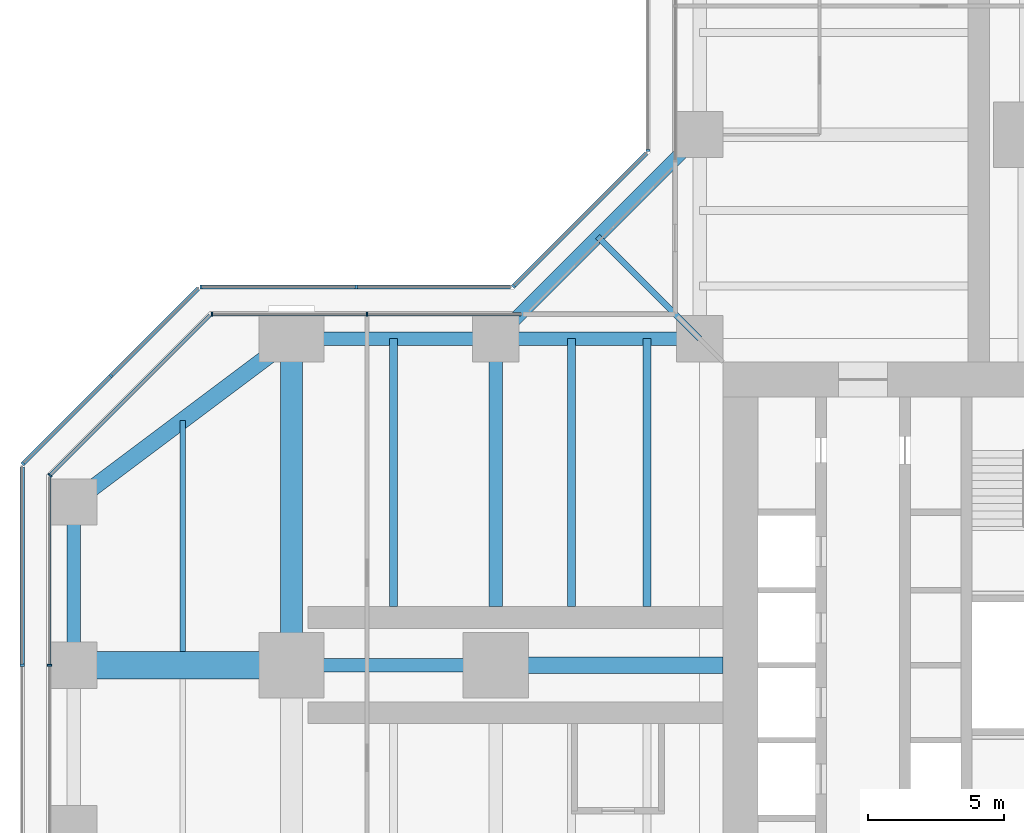
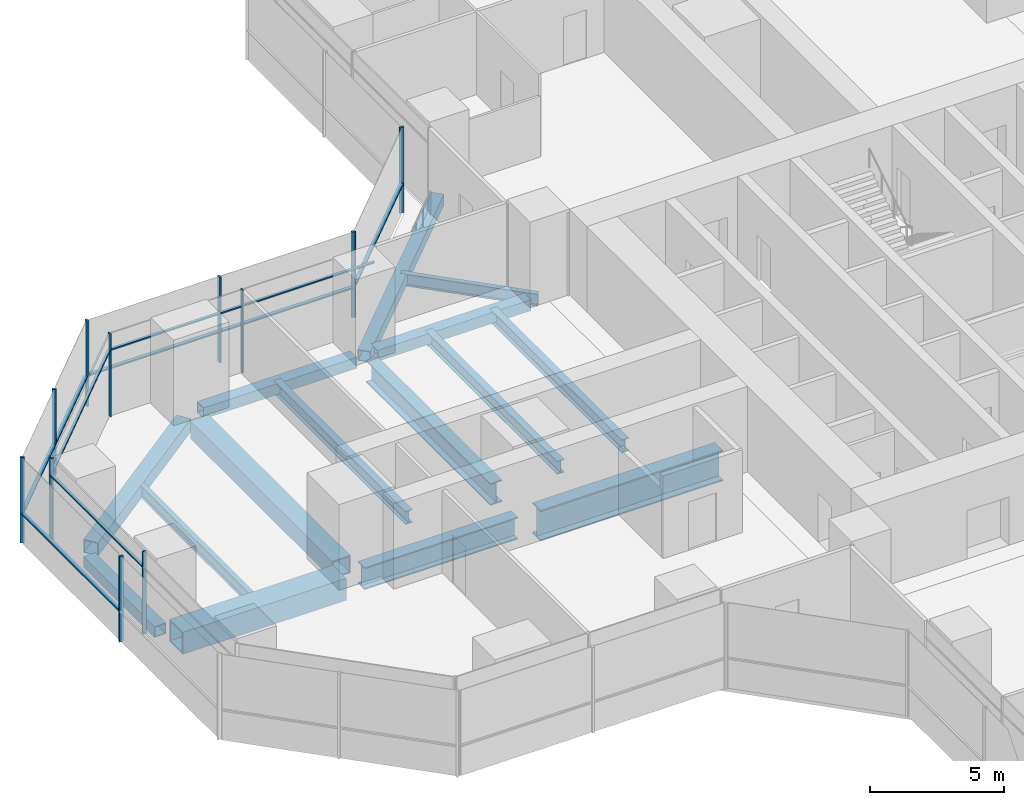
# One storey, part 8 of 22: 21 members, 15 beams, 8 elements without a shape of their own.
"""IFC4 building model written with IfcOpenShell, lengths in metres."""

from ifc_helpers import new_model, si_unit, direction, frame, origin, origin_2d, place, context, subcontext, project, spatial, rectangle, hollow_rectangle, i_section, extrude, material, material_profile, profile_set, type_object, element, aggregate, save


model = new_model("IFC4")

# Units and contexts
model_context = context("Model", 3, precision=1e-05, world=origin(), true_north=direction((0.0, 1.0)))
body_context = subcontext(model_context, "Body", "Model", "MODEL_VIEW")
ifc_project = project(units=[si_unit("LENGTHUNIT", "METRE"), si_unit("AREAUNIT", "SQUARE_METRE"), si_unit("VOLUMEUNIT", "CUBIC_METRE"), si_unit("PLANEANGLEUNIT", "RADIAN"), si_unit("MASSUNIT", "GRAM", prefix="KILO")], contexts=[model_context])

# Site, building, storey
site_placement = place(None, origin())
site = spatial("IfcSite", under=ifc_project, at=site_placement, CompositionType="ELEMENT")
building_placement = place(site_placement, origin())
building = spatial("IfcBuilding", under=site, at=building_placement, Name="Mizan Broadcast Tower", CompositionType="ELEMENT")
storey_placement = place(building_placement, frame((0.0, 0.0, 109.800048828125)))
storey = spatial("IfcBuildingStorey", under=building, at=storey_placement, Name="L24", CompositionType="ELEMENT", Elevation=109.800048828125)

# Beams
ifc_material_1 = material(Name="Steel S355", Category="steel")
ifc_material_profile_1 = material_profile(ifc_material_1, hollow_rectangle(XDim=0.5, YDim=0.5, WallThickness=0.030029296875, at=origin_2d()), Name="BOX 500x500x30")
ifc_profile_set_1 = profile_set([ifc_material_profile_1], Name="Steel S355")
beam_type_1 = type_object("IfcBeamType", Name="EDGE BEAM BOX 500x500x30", PredefinedType="SPANDREL", material=ifc_profile_set_1)
for number, where, z_axis, x_axis, name in (
    (1, (-12.449951171875, 12.0, -0.380126953125), (-1.0, 0.0, 0.0), (0.0, -1.0, 0.0), "Edge beam BOX 500x500x30 L24 west arm"),
    (2, (-19.949951171875, 12.0, -0.380126953125), (-1.0, 0.0, 0.0), (0.0, -1.0, 0.0), "Edge beam BOX 500x500x30 L24 west arm"),
):
    element("IfcBeam", number, at=place(storey_placement, frame(where, z_axis=z_axis, x_axis=x_axis)), inside=storey, type_object=beam_type_1, Name=name, PredefinedType="SPANDREL", context=body_context, shape_type="SweptSolid", body=[
        extrude(hollow_rectangle(XDim=0.5, YDim=0.5, WallThickness=0.030029296875, at=origin_2d()), origin(), (0.0, 0.0, 1.0), 6.60009765625),
    ])
beam_1_placement = place(storey_placement, frame((-35.0, 5.639892578125, -0.380126953125), z_axis=(0.0, -1.0, 0.0), x_axis=(1.0, 0.0, 0.0)))
element("IfcBeam", 3, at=beam_1_placement, inside=storey, type_object=beam_type_1, Name="Edge beam BOX 500x500x30 L24 west arm", PredefinedType="SPANDREL", context=body_context, shape_type="SweptSolid", body=[
    extrude(hollow_rectangle(XDim=0.5, YDim=0.5, WallThickness=0.030029296875, at=origin_2d()), origin(), (0.0, 0.0, 1.0), 5.27978515625),
])
beam_2_placement = place(storey_placement, frame((-12.0, 19.5, -0.380126953125), z_axis=(-0.707106781187, -0.707106781187, 0.0), x_axis=(0.707106781187, -0.707106781187, 0.0)))
element("IfcBeam", 4, at=beam_2_placement, inside=storey, type_object=beam_type_1, Name="Winter garden edge beam L24 N", PredefinedType="SPANDREL", context=body_context, shape_type="SweptSolid", body=[
    extrude(hollow_rectangle(XDim=0.5, YDim=0.5, WallThickness=0.030029296875, at=origin_2d()), origin(), (0.0, 0.0, 1.0), 10.606689453125),
])
ifc_material_2 = material(Name="Steel S355", Category="steel")
ifc_material_profile_2 = material_profile(ifc_material_2, hollow_rectangle(XDim=0.60009765625, YDim=0.60009765625, WallThickness=0.030029296875, at=origin_2d()), Name="BOX 600x600x30")
ifc_profile_set_2 = profile_set([ifc_material_profile_2], Name="Steel S355")
beam_type_2 = type_object("IfcBeamType", Name="EDGE BEAM BOX 600x600x30", PredefinedType="SPANDREL", material=ifc_profile_set_2)
beam_3_placement = place(storey_placement, frame((-27.47998046875, 11.639892578125, -0.429931640625), z_axis=(-0.800013316712, -0.599982243973, 0.0), x_axis=(0.599982243973, -0.800013316712, 0.0)))
element("IfcBeam", 5, at=beam_3_placement, inside=storey, type_object=beam_type_2, Name="Edge beam BOX 600x600x30 L24 west arm", PredefinedType="SPANDREL", context=body_context, shape_type="SweptSolid", body=[
    extrude(hollow_rectangle(XDim=0.60009765625, YDim=0.60009765625, WallThickness=0.030029296875, at=origin_2d()), origin(), (0.0, 0.0, 1.0), 8.7998046875),
])
ifc_material_3 = material(Name="Steel S460", Category="steel")
ifc_material_profile_3 = material_profile(ifc_material_3, hollow_rectangle(XDim=1.0, YDim=1.0, WallThickness=0.06005859375, at=origin_2d()), Name="BOX 1000x1000x60")
ifc_profile_set_3 = profile_set([ifc_material_profile_3], Name="Steel S460")
beam_type_3 = type_object("IfcBeamType", Name="GIRDER BOX 1000x1000x60", PredefinedType="BEAM", material=ifc_profile_set_3)
beam_4_placement = place(storey_placement, frame((-27.47998046875, 0.0, -0.630126953125), z_axis=(-1.0, 0.0, 0.0), x_axis=(0.0, -1.0, 0.0)))
element("IfcBeam", 6, at=beam_4_placement, inside=storey, type_object=beam_type_3, Name="Girder BOX 1000x1000x60 L24 west arm", PredefinedType="BEAM", context=body_context, shape_type="SweptSolid", body=[
    extrude(hollow_rectangle(XDim=1.0, YDim=1.0, WallThickness=0.06005859375, at=origin_2d()), origin(), (0.0, 0.0, 1.0), 7.0400390625),
])
ifc_material_4 = material(Name="Steel S460", Category="steel")
ifc_material_profile_4 = material_profile(ifc_material_4, hollow_rectangle(XDim=0.800048828125, YDim=0.800048828125, WallThickness=0.050048828125, at=origin_2d()), Name="BOX 800x800x50")
ifc_profile_set_4 = profile_set([ifc_material_profile_4], Name="Steel S460")
beam_type_4 = type_object("IfcBeamType", Name="GIRDER BOX 800x800x50", PredefinedType="BEAM", material=ifc_profile_set_4)
beam_5_placement = place(storey_placement, frame((-27.0, 11.280029296875, -0.530029296875), z_axis=(0.0, -1.0, 0.0), x_axis=(1.0, 0.0, 0.0)))
element("IfcBeam", 7, at=beam_5_placement, inside=storey, type_object=beam_type_4, Name="Girder BOX 800x800x50 L24 west arm", PredefinedType="BEAM", context=body_context, shape_type="SweptSolid", body=[
    extrude(hollow_rectangle(XDim=0.800048828125, YDim=0.800048828125, WallThickness=0.050048828125, at=origin_2d()), origin(), (0.0, 0.0, 1.0), 10.56005859375),
])
ifc_material_5 = material(Name="Steel S460", Category="steel")
ifc_material_profile_5 = material_profile(ifc_material_5, i_section(OverallWidth=0.5, OverallDepth=1.0, WebThickness=0.02490234375, FlangeThickness=0.050048828125, at=origin_2d()), Name="WPG 1000x500")
ifc_profile_set_5 = profile_set([ifc_material_profile_5], Name="Steel S460")
beam_type_5 = type_object("IfcBeamType", Name="GIRDER WPG 1000x500", PredefinedType="BEAM", material=ifc_profile_set_5)
beam_6_placement = place(storey_placement, frame((-19.949951171875, 0.0, -0.630126953125), z_axis=(-1.0, 0.0, 0.0), x_axis=(0.0, -1.0, 0.0)))
element("IfcBeam", 8, at=beam_6_placement, inside=storey, type_object=beam_type_5, Name="Girder WPG 1000x500 L24 west arm", PredefinedType="BEAM", context=body_context, shape_type="SweptSolid", body=[
    extrude(i_section(OverallWidth=0.5, OverallDepth=1.0, WebThickness=0.02490234375, FlangeThickness=0.050048828125, at=origin_2d()), origin(), (0.0, 0.0, 1.0), 6.60009765625),
])
beam_7_placement = place(storey_placement, frame((-19.5, 11.408935546875, -0.630126953125), z_axis=(0.0, -1.0, 0.0), x_axis=(1.0, 0.0, 0.0)))
element("IfcBeam", 9, at=beam_7_placement, inside=storey, type_object=beam_type_5, Name="Girder WPG 1000x500 L24 west arm", PredefinedType="BEAM", context=body_context, shape_type="SweptSolid", body=[
    extrude(i_section(OverallWidth=0.5, OverallDepth=1.0, WebThickness=0.02490234375, FlangeThickness=0.050048828125, at=origin_2d()), origin(), (0.0, 0.0, 1.0), 9.259033203125),
])
ifc_material_6 = material(Name="Steel S460", Category="steel")
ifc_material_profile_6 = material_profile(ifc_material_6, i_section(OverallWidth=0.60009765625, OverallDepth=1.39990234375, WebThickness=0.02490234375, FlangeThickness=0.06005859375, at=origin_2d()), Name="WPG 1400x600")
ifc_profile_set_6 = profile_set([ifc_material_profile_6], Name="Steel S460")
beam_type_6 = type_object("IfcBeamType", Name="GIRDER WPG 1400x600", PredefinedType="BEAM", material=ifc_profile_set_6)
beam_8_placement = place(storey_placement, frame((-11.14990234375, 0.0, -0.830078125), z_axis=(-1.0, 0.0, 0.0), x_axis=(0.0, -1.0, 0.0)))
element("IfcBeam", 10, at=beam_8_placement, inside=storey, type_object=beam_type_6, Name="Girder WPG 1400x600 L24 west arm", PredefinedType="BEAM", context=body_context, shape_type="SweptSolid", body=[
    extrude(i_section(OverallWidth=0.60009765625, OverallDepth=1.39990234375, WebThickness=0.02490234375, FlangeThickness=0.06005859375, at=origin_2d()), origin(), (0.0, 0.0, 1.0), 7.84912109375),
])

# Curtain wall, members
ifc_material_7 = material(Name="Aluminium framed glazing", Category="aluminium")
curtain_wall_type_1 = type_object("IfcCurtainWallType", Name="INNER SKIN LOW ZONE", PredefinedType="USERDEFINED", material=ifc_material_7)
curtain_wall_1_placement = place(storey_placement, origin())
curtain_wall_1 = element("IfcCurtainWall", 11, at=curtain_wall_1_placement, inside=storey, type_object=curtain_wall_type_1, Name="Inner skin low zone L24 W side", ObjectType="INNER SKIN LOW ZONE", PredefinedType="USERDEFINED")
ifc_material_8 = material(Name="Aluminium, pale anodised", Category="aluminium")
ifc_material_profile_7 = material_profile(ifc_material_8, rectangle(XDim=0.159912109375, YDim=0.06005859375, at=origin_2d()), Name="MULLION 160x60")
ifc_profile_set_7 = profile_set([ifc_material_profile_7], Name="Aluminium, pale anodised")
member_type_1 = type_object("IfcMemberType", Name="INNER SKIN MULLION 60x160", PredefinedType="MULLION", material=ifc_profile_set_7)
member_1_placement = place(storey_placement, frame((-24.229248046875, 12.89990234375, 0.0), z_axis=(0.0, 0.0, 1.0), x_axis=(0.0, -1.0, 0.0)))
member_1 = element("IfcMember", 12, at=member_1_placement, type_object=member_type_1, Name="Inner skin low zone L24 W side mullion 2", PredefinedType="MULLION", context=body_context, shape_type="SweptSolid", body=[
    extrude(rectangle(XDim=0.159912109375, YDim=0.06005859375, at=origin_2d()), origin(), (0.0, 0.0, 1.0), 3.77001953125),
])
member_2_placement = place(storey_placement, frame((-29.928466796875, 12.89990234375, 0.0), z_axis=(0.0, 0.0, 1.0), x_axis=(0.0, -1.0, 0.0)))
member_2 = element("IfcMember", 13, at=member_2_placement, type_object=member_type_1, Name="Inner skin low zone L24 W side mullion 3", PredefinedType="MULLION", context=body_context, shape_type="SweptSolid", body=[
    extrude(rectangle(XDim=0.159912109375, YDim=0.06005859375, at=origin_2d()), origin(), (0.0, 0.0, 1.0), 3.77001953125),
])

# Curtain wall, member
curtain_wall_2_placement = place(storey_placement, origin())
curtain_wall_2 = element("IfcCurtainWall", 14, at=curtain_wall_2_placement, inside=storey, type_object=curtain_wall_type_1, Name="Inner skin low zone L24 W chamfer", ObjectType="INNER SKIN LOW ZONE", PredefinedType="USERDEFINED")
member_3_placement = place(storey_placement, frame((-35.87890625, 6.979736328125, 0.0), z_axis=(0.0, 0.0, 1.0), x_axis=(0.707106781187, -0.707106781187, 0.0)))
member_3 = element("IfcMember", 15, at=member_3_placement, type_object=member_type_1, Name="Inner skin low zone L24 W chamfer mullion 2", PredefinedType="MULLION", context=body_context, shape_type="SweptSolid", body=[
    extrude(rectangle(XDim=0.159912109375, YDim=0.06005859375, at=origin_2d()), origin(), (0.0, 0.0, 1.0), 3.77001953125),
])

curtain_wall_3_placement = place(storey_placement, origin())
curtain_wall_3 = element("IfcCurtainWall", 16, at=curtain_wall_3_placement, inside=storey, type_object=curtain_wall_type_1, Name="Inner skin low zone L24 W end", ObjectType="INNER SKIN LOW ZONE", PredefinedType="USERDEFINED")
member_4_placement = place(storey_placement, frame((-35.89990234375, 0.0, 0.0), z_axis=(0.0, 0.0, 1.0), x_axis=(1.0, 0.0, 0.0)))
member_4 = element("IfcMember", 17, at=member_4_placement, type_object=member_type_1, Name="Inner skin low zone L24 W end mullion 2", PredefinedType="MULLION", context=body_context, shape_type="SweptSolid", body=[
    extrude(rectangle(XDim=0.159912109375, YDim=0.06005859375, at=origin_2d()), origin(), (0.0, 0.0, 1.0), 3.77001953125),
])

# Member
ifc_material_9 = material(Name="Aluminium, pale anodised", Category="aluminium")
ifc_material_profile_8 = material_profile(ifc_material_9, rectangle(XDim=0.1201171875, YDim=0.06005859375, at=origin_2d()), Name="TRANSOM 120x60")
ifc_profile_set_8 = profile_set([ifc_material_profile_8], Name="Aluminium, pale anodised")
member_type_2 = type_object("IfcMemberType", Name="INNER SKIN TRANSOM 60x120", PredefinedType="USERDEFINED", material=ifc_profile_set_8)
member_5_placement = place(storey_placement, frame((-18.56005859375, 12.89990234375, 3.030029296875), z_axis=(-1.0, 0.0, 0.0), x_axis=(0.0, -1.0, 0.0)))
member_5 = element("IfcMember", 18, at=member_5_placement, type_object=member_type_2, Name="Inner skin low zone L24 W side transom 1.1", ObjectType="TRANSOM", PredefinedType="USERDEFINED", context=body_context, shape_type="SweptSolid", body=[
    extrude(rectangle(XDim=0.1201171875, YDim=0.06005859375, at=origin_2d()), origin(), (0.0, 0.0, 1.0), 5.63916015625),
])

member_6_placement = place(storey_placement, frame((-24.25927734375, 12.89990234375, 3.030029296875), z_axis=(-1.0, 0.0, 0.0), x_axis=(0.0, -1.0, 0.0)))
member_6 = element("IfcMember", 19, at=member_6_placement, type_object=member_type_2, Name="Inner skin low zone L24 W side transom 2.1", ObjectType="TRANSOM", PredefinedType="USERDEFINED", context=body_context, shape_type="SweptSolid", body=[
    extrude(rectangle(XDim=0.1201171875, YDim=0.06005859375, at=origin_2d()), origin(), (0.0, 0.0, 1.0), 5.639404296875),
])

aggregate(curtain_wall_1, [member_1, member_2, member_5, member_6])

member_7_placement = place(storey_placement, frame((-30.0009765625, 12.857666015625, 3.030029296875), z_axis=(-0.707106781187, -0.707106781187, 0.0), x_axis=(0.707106781187, -0.707106781187, 0.0)))
member_7 = element("IfcMember", 20, at=member_7_placement, type_object=member_type_2, Name="Inner skin low zone L24 W chamfer transom 1.1", ObjectType="TRANSOM", PredefinedType="USERDEFINED", context=body_context, shape_type="SweptSolid", body=[
    extrude(rectangle(XDim=0.1201171875, YDim=0.06005859375, at=origin_2d()), origin(), (0.0, 0.0, 1.0), 8.28271484375),
])

aggregate(curtain_wall_2, [member_3, member_7])

member_8_placement = place(storey_placement, frame((-35.89990234375, 6.898681640625, 3.030029296875), z_axis=(0.0, -1.0, 0.0), x_axis=(1.0, 0.0, 0.0)))
member_8 = element("IfcMember", 21, at=member_8_placement, type_object=member_type_2, Name="Inner skin low zone L24 W end transom 1.1", ObjectType="TRANSOM", PredefinedType="USERDEFINED", context=body_context, shape_type="SweptSolid", body=[
    extrude(rectangle(XDim=0.1201171875, YDim=0.06005859375, at=origin_2d()), origin(), (0.0, 0.0, 1.0), 6.86865234375),
])

aggregate(curtain_wall_3, [member_4, member_8])

# Curtain wall, member
ifc_material_10 = material(Name="Aluminium framed glazing", Category="aluminium")
curtain_wall_type_2 = type_object("IfcCurtainWallType", Name="OUTER SKIN", PredefinedType="USERDEFINED", material=ifc_material_10)
curtain_wall_4_placement = place(storey_placement, origin())
curtain_wall_4 = element("IfcCurtainWall", 22, at=curtain_wall_4_placement, inside=storey, type_object=curtain_wall_type_2, Name="Outer skin L24 N side", ObjectType="OUTER SKIN", PredefinedType="USERDEFINED")
ifc_material_11 = material(Name="Aluminium, pale anodised", Category="aluminium")
ifc_material_profile_9 = material_profile(ifc_material_11, rectangle(XDim=0.159912109375, YDim=0.080078125, at=origin_2d()), Name="MULLION 160x80")
ifc_profile_set_9 = profile_set([ifc_material_profile_9], Name="Aluminium, pale anodised")
member_type_3 = type_object("IfcMemberType", Name="OUTER SKIN MULLION 80x160", PredefinedType="MULLION", material=ifc_profile_set_9)
member_9_placement = place(storey_placement, frame((-13.89990234375, 18.912841796875, 0.0), z_axis=(0.0, 0.0, 1.0), x_axis=(1.0, 0.0, 0.0)))
member_9 = element("IfcMember", 23, at=member_9_placement, type_object=member_type_3, Name="Outer skin L24 N side mullion 3", PredefinedType="MULLION", context=body_context, shape_type="SweptSolid", body=[
    extrude(rectangle(XDim=0.159912109375, YDim=0.080078125, at=origin_2d()), origin(), (0.0, 0.0, 1.0), 3.89990234375),
])
aggregate(curtain_wall_4, [member_9])

curtain_wall_5_placement = place(storey_placement, origin())
curtain_wall_5 = element("IfcCurtainWall", 24, at=curtain_wall_5_placement, inside=storey, type_object=curtain_wall_type_2, Name="Outer skin L24 W chamfer", ObjectType="OUTER SKIN", PredefinedType="USERDEFINED")
member_10_placement = place(storey_placement, frame((-18.844482421875, 13.92822265625, 0.0), z_axis=(0.0, 0.0, 1.0), x_axis=(0.707106781187, -0.707106781187, 0.0)))
member_10 = element("IfcMember", 25, at=member_10_placement, type_object=member_type_3, Name="Outer skin L24 W chamfer mullion 2", PredefinedType="MULLION", context=body_context, shape_type="SweptSolid", body=[
    extrude(rectangle(XDim=0.159912109375, YDim=0.080078125, at=origin_2d()), origin(), (0.0, 0.0, 1.0), 3.89990234375),
])

# Curtain wall, members
curtain_wall_6_placement = place(storey_placement, origin())
curtain_wall_6 = element("IfcCurtainWall", 26, at=curtain_wall_6_placement, inside=storey, type_object=curtain_wall_type_2, Name="Outer skin L24 W side", ObjectType="OUTER SKIN", PredefinedType="USERDEFINED")
member_11_placement = place(storey_placement, frame((-24.622802734375, 13.89990234375, 0.0), z_axis=(0.0, 0.0, 1.0), x_axis=(0.0, -1.0, 0.0)))
member_11 = element("IfcMember", 27, at=member_11_placement, type_object=member_type_3, Name="Outer skin L24 W side mullion 2", PredefinedType="MULLION", context=body_context, shape_type="SweptSolid", body=[
    extrude(rectangle(XDim=0.159912109375, YDim=0.080078125, at=origin_2d()), origin(), (0.0, 0.0, 1.0), 3.89990234375),
])
member_12_placement = place(storey_placement, frame((-30.332763671875, 13.89990234375, 0.0), z_axis=(0.0, 0.0, 1.0), x_axis=(0.0, -1.0, 0.0)))
member_12 = element("IfcMember", 28, at=member_12_placement, type_object=member_type_3, Name="Outer skin L24 W side mullion 3", PredefinedType="MULLION", context=body_context, shape_type="SweptSolid", body=[
    extrude(rectangle(XDim=0.159912109375, YDim=0.080078125, at=origin_2d()), origin(), (0.0, 0.0, 1.0), 3.89990234375),
])

curtain_wall_7_placement = place(storey_placement, origin())
curtain_wall_7 = element("IfcCurtainWall", 29, at=curtain_wall_7_placement, inside=storey, type_object=curtain_wall_type_2, Name="Outer skin L24 W chamfer", ObjectType="OUTER SKIN", PredefinedType="USERDEFINED")
member_13_placement = place(storey_placement, frame((-33.636474609375, 10.636474609375, 0.0), z_axis=(0.0, 0.0, 1.0), x_axis=(0.707106781187, -0.707106781187, 0.0)))
member_13 = element("IfcMember", 30, at=member_13_placement, type_object=member_type_3, Name="Outer skin L24 W chamfer mullion 2", PredefinedType="MULLION", context=body_context, shape_type="SweptSolid", body=[
    extrude(rectangle(XDim=0.159912109375, YDim=0.080078125, at=origin_2d()), origin(), (0.0, 0.0, 1.0), 3.89990234375),
])
member_14_placement = place(storey_placement, frame((-36.871826171875, 7.401123046875, 0.0), z_axis=(0.0, 0.0, 1.0), x_axis=(0.707106781187, -0.707106781187, 0.0)))
member_14 = element("IfcMember", 31, at=member_14_placement, type_object=member_type_3, Name="Outer skin L24 W chamfer mullion 3", PredefinedType="MULLION", context=body_context, shape_type="SweptSolid", body=[
    extrude(rectangle(XDim=0.159912109375, YDim=0.080078125, at=origin_2d()), origin(), (0.0, 0.0, 1.0), 3.89990234375),
])

# Curtain wall, member
curtain_wall_8_placement = place(storey_placement, origin())
curtain_wall_8 = element("IfcCurtainWall", 32, at=curtain_wall_8_placement, inside=storey, type_object=curtain_wall_type_2, Name="Outer skin L24 W end", ObjectType="OUTER SKIN", PredefinedType="USERDEFINED")
member_15_placement = place(storey_placement, frame((-36.89990234375, 0.0, 0.0), z_axis=(0.0, 0.0, 1.0), x_axis=(1.0, 0.0, 0.0)))
member_15 = element("IfcMember", 33, at=member_15_placement, type_object=member_type_3, Name="Outer skin L24 W end mullion 2", PredefinedType="MULLION", context=body_context, shape_type="SweptSolid", body=[
    extrude(rectangle(XDim=0.159912109375, YDim=0.080078125, at=origin_2d()), origin(), (0.0, 0.0, 1.0), 3.89990234375),
])

# Member
ifc_material_12 = material(Name="Aluminium, pale anodised", Category="aluminium")
ifc_material_profile_10 = material_profile(ifc_material_12, rectangle(XDim=0.159912109375, YDim=0.06005859375, at=origin_2d()), Name="TRANSOM 160x60")
ifc_profile_set_10 = profile_set([ifc_material_profile_10], Name="Aluminium, pale anodised")
member_type_4 = type_object("IfcMemberType", Name="OUTER SKIN TRANSOM 60x160", PredefinedType="USERDEFINED", material=ifc_profile_set_10)
member_16_placement = place(storey_placement, frame((-13.95654296875, 18.816162109375, 1.39990234375), z_axis=(-0.707106781187, -0.707106781187, 0.0), x_axis=(0.707106781187, -0.707106781187, 0.0)))
member_16 = element("IfcMember", 34, at=member_16_placement, type_object=member_type_4, Name="Outer skin L24 W chamfer transom 1.1", ObjectType="TRANSOM", PredefinedType="USERDEFINED", context=body_context, shape_type="SweptSolid", body=[
    extrude(rectangle(XDim=0.159912109375, YDim=0.06005859375, at=origin_2d()), origin(), (0.0, 0.0, 1.0), 6.87255859375),
])

aggregate(curtain_wall_5, [member_10, member_16])

member_17_placement = place(storey_placement, frame((-18.952880859375, 13.89990234375, 1.39990234375), z_axis=(-1.0, 0.0, 0.0), x_axis=(0.0, -1.0, 0.0)))
member_17 = element("IfcMember", 35, at=member_17_placement, type_object=member_type_4, Name="Outer skin L24 W side transom 1.1", ObjectType="TRANSOM", PredefinedType="USERDEFINED", context=body_context, shape_type="SweptSolid", body=[
    extrude(rectangle(XDim=0.159912109375, YDim=0.06005859375, at=origin_2d()), origin(), (0.0, 0.0, 1.0), 5.6298828125),
])

member_18_placement = place(storey_placement, frame((-24.662841796875, 13.89990234375, 1.39990234375), z_axis=(-1.0, 0.0, 0.0), x_axis=(0.0, -1.0, 0.0)))
member_18 = element("IfcMember", 36, at=member_18_placement, type_object=member_type_4, Name="Outer skin L24 W side transom 2.1", ObjectType="TRANSOM", PredefinedType="USERDEFINED", context=body_context, shape_type="SweptSolid", body=[
    extrude(rectangle(XDim=0.159912109375, YDim=0.06005859375, at=origin_2d()), origin(), (0.0, 0.0, 1.0), 5.6298828125),
])

aggregate(curtain_wall_6, [member_11, member_12, member_17, member_18])

member_19_placement = place(storey_placement, frame((-30.429443359375, 13.843505859375, 1.39990234375), z_axis=(-0.707106781187, -0.707106781187, 0.0), x_axis=(0.707106781187, -0.707106781187, 0.0)))
member_19 = element("IfcMember", 37, at=member_19_placement, type_object=member_type_4, Name="Outer skin L24 W chamfer transom 1.1", ObjectType="TRANSOM", PredefinedType="USERDEFINED", context=body_context, shape_type="SweptSolid", body=[
    extrude(rectangle(XDim=0.159912109375, YDim=0.06005859375, at=origin_2d()), origin(), (0.0, 0.0, 1.0), 4.495361328125),
])

member_20_placement = place(storey_placement, frame((-33.664794921875, 10.608154296875, 1.39990234375), z_axis=(-0.707106781187, -0.707106781187, 0.0), x_axis=(0.707106781187, -0.707106781187, 0.0)))
member_20 = element("IfcMember", 38, at=member_20_placement, type_object=member_type_4, Name="Outer skin L24 W chamfer transom 2.1", ObjectType="TRANSOM", PredefinedType="USERDEFINED", context=body_context, shape_type="SweptSolid", body=[
    extrude(rectangle(XDim=0.159912109375, YDim=0.06005859375, at=origin_2d()), origin(), (0.0, 0.0, 1.0), 4.495361328125),
])

aggregate(curtain_wall_7, [member_13, member_14, member_19, member_20])

member_21_placement = place(storey_placement, frame((-36.89990234375, 7.292724609375, 1.39990234375), z_axis=(0.0, -1.0, 0.0), x_axis=(1.0, 0.0, 0.0)))
member_21 = element("IfcMember", 39, at=member_21_placement, type_object=member_type_4, Name="Outer skin L24 W end transom 1.1", ObjectType="TRANSOM", PredefinedType="USERDEFINED", context=body_context, shape_type="SweptSolid", body=[
    extrude(rectangle(XDim=0.159912109375, YDim=0.06005859375, at=origin_2d()), origin(), (0.0, 0.0, 1.0), 7.252685546875),
])

aggregate(curtain_wall_8, [member_15, member_21])

# Beams
ifc_material_13 = material(Name="Steel S355", Category="steel")
ifc_material_profile_11 = material_profile(ifc_material_13, i_section(OverallWidth=0.300048828125, OverallDepth=0.590087890625, WebThickness=0.012939453125, FlangeThickness=0.02490234375, FilletRadius=0.027099609375, at=origin_2d()), Name="HEA 600")
ifc_profile_set_11 = profile_set([ifc_material_profile_11], Name="Steel S355")
beam_type_7 = type_object("IfcBeamType", Name="SECONDARY BEAM HEA 600", PredefinedType="JOIST", material=ifc_profile_set_11)
for number, where, z_axis, x_axis, name in (
    (40, (-13.933349609375, 12.0, -0.425048828125), (0.0, -1.0, 0.0), (1.0, 0.0, 0.0), "Secondary beam HEA 600 L24 west arm"),
    (41, (-16.716552734375, 12.0, -0.425048828125), (0.0, -1.0, 0.0), (1.0, 0.0, 0.0), "Secondary beam HEA 600 L24 west arm"),
    (42, (-23.25, 12.0, -0.425048828125), (0.0, -1.0, 0.0), (1.0, 0.0, 0.0), "Secondary beam HEA 600 L24 west arm"),
):
    element("IfcBeam", number, at=place(storey_placement, frame(where, z_axis=z_axis, x_axis=x_axis)), inside=storey, type_object=beam_type_7, Name=name, PredefinedType="JOIST", context=body_context, shape_type="SweptSolid", body=[
        extrude(i_section(OverallWidth=0.300048828125, OverallDepth=0.590087890625, WebThickness=0.012939453125, FlangeThickness=0.02490234375, FilletRadius=0.027099609375, at=origin_2d()), origin(), (0.0, 0.0, 1.0), 9.85009765625),
    ])
ifc_material_14 = material(Name="Steel S355", Category="steel")
ifc_material_profile_12 = material_profile(ifc_material_14, i_section(OverallWidth=0.2099609375, OverallDepth=0.550048828125, WebThickness=0.010986328125, FlangeThickness=0.01708984375, FilletRadius=0.02392578125, at=origin_2d()), Name="IPE 550")
ifc_profile_set_12 = profile_set([ifc_material_profile_12], Name="Steel S355")
beam_type_8 = type_object("IfcBeamType", Name="SECONDARY BEAM IPE 550", PredefinedType="JOIST", material=ifc_profile_set_12)
beam_9_placement = place(storey_placement, frame((-31.0, 9.0, -0.405029296875), z_axis=(0.0, -1.0, 0.0), x_axis=(1.0, 0.0, 0.0)))
element("IfcBeam", 43, at=beam_9_placement, inside=storey, type_object=beam_type_8, Name="Secondary beam IPE 550 L24 west arm", PredefinedType="JOIST", context=body_context, shape_type="SweptSolid", body=[
    extrude(i_section(OverallWidth=0.2099609375, OverallDepth=0.550048828125, WebThickness=0.010986328125, FlangeThickness=0.01708984375, FilletRadius=0.02392578125, at=origin_2d()), origin(), (0.0, 0.0, 1.0), 8.5),
])
beam_10_placement = place(storey_placement, frame((-12.0, 12.0, -0.405029296875), z_axis=(-0.707106781187, 0.707106781187, 0.0), x_axis=(-0.707106781187, -0.707106781187, 0.0)))
element("IfcBeam", 44, at=beam_10_placement, inside=storey, type_object=beam_type_8, Name="Winter garden beam L24 N", PredefinedType="JOIST", context=body_context, shape_type="SweptSolid", body=[
    extrude(i_section(OverallWidth=0.2099609375, OverallDepth=0.550048828125, WebThickness=0.010986328125, FlangeThickness=0.01708984375, FilletRadius=0.02392578125, at=origin_2d()), origin(), (0.0, 0.0, 1.0), 5.30322265625),
])

save(model, "model.ifc")
